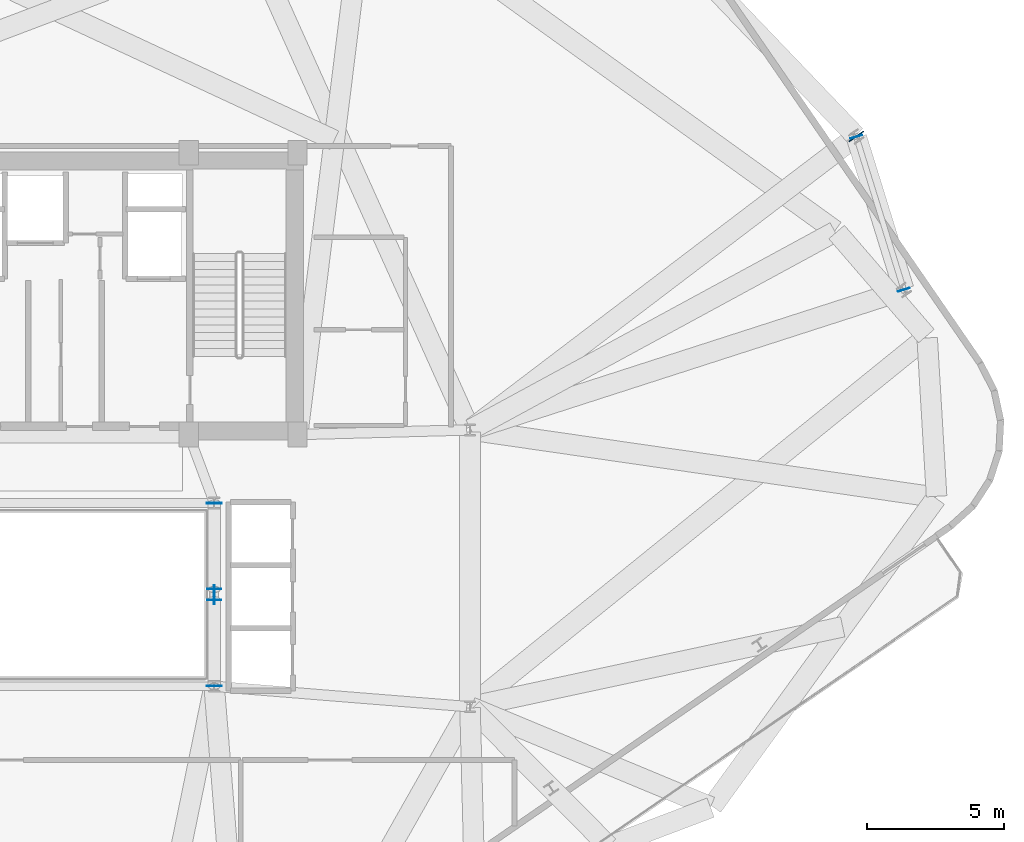
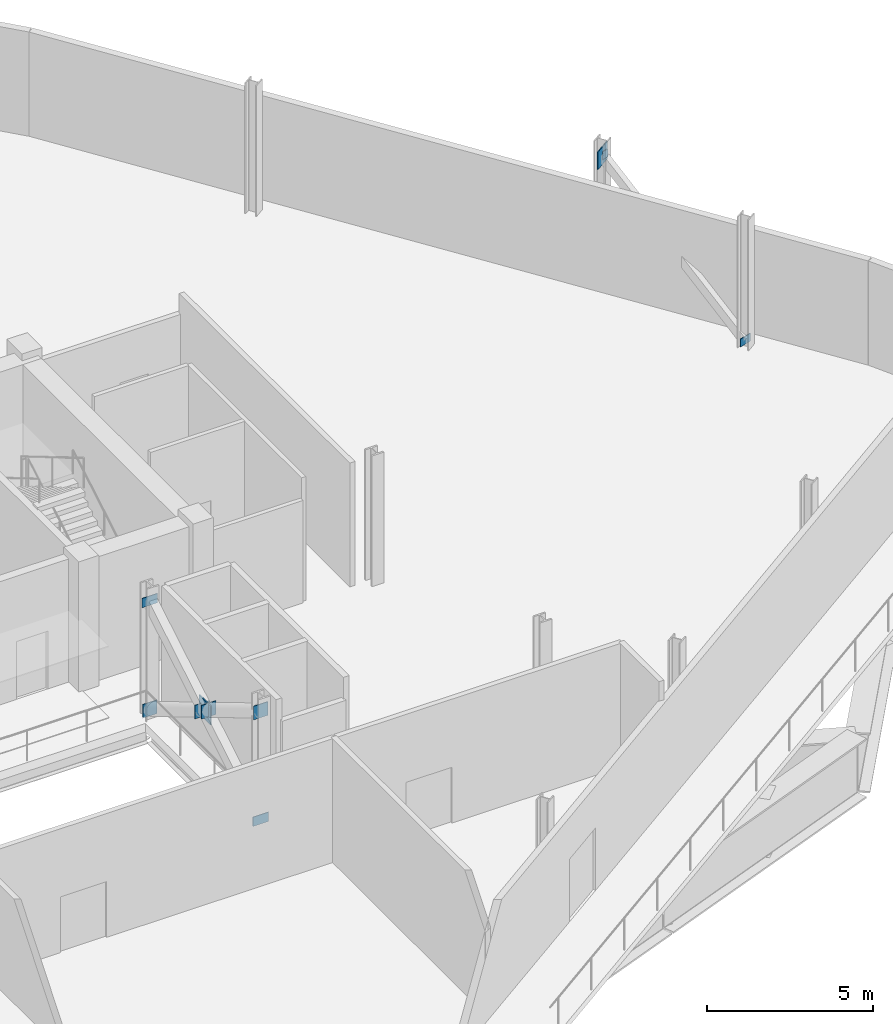
# One storey, part 6 of 13: 10 plates.
"""IFC4 building model written with IfcOpenShell, lengths in metres."""

from ifc_helpers import new_model, si_unit, direction, frame, origin, origin_2d, place, context, subcontext, project, spatial, rectangle, extrude, source, transform, mapped, material, layer, layer_set, type_object, element, save


model = new_model("IFC4")

# Units and contexts
model_context = context("Model", 3, precision=1e-05, world=origin(), true_north=direction((0.0, 1.0)))
body_context = subcontext(model_context, "Body", "Model", "MODEL_VIEW")
ifc_project = project(units=[si_unit("LENGTHUNIT", "METRE"), si_unit("AREAUNIT", "SQUARE_METRE"), si_unit("VOLUMEUNIT", "CUBIC_METRE"), si_unit("PLANEANGLEUNIT", "RADIAN"), si_unit("MASSUNIT", "GRAM", prefix="KILO")], contexts=[model_context])

# Site, building, storey
site_placement = place(None, origin())
site = spatial("IfcSite", under=ifc_project, at=site_placement, CompositionType="ELEMENT")
building_placement = place(site_placement, origin())
building = spatial("IfcBuilding", under=site, at=building_placement, Name="Varnelok Gate Tower", CompositionType="ELEMENT")
storey_placement = place(building_placement, frame((0.0, 0.0, 253.39990234375)))
storey = spatial("IfcBuildingStorey", under=building, at=storey_placement, Name="L65", CompositionType="ELEMENT", Elevation=253.39990234375)

# Plates
ifc_material = material(Name="Structural Steel ASTM A572 Grade 50", Category="steel")
ifc_layer_1 = layer(ifc_material, 0.02490234375)
ifc_layer_set_1 = layer_set([ifc_layer_1], Name="Structural Steel ASTM A572 Grade 50")
plate_type_1 = type_object("IfcPlateType", Name="PLT-ENDCAP-25", PredefinedType="SHEET", material=ifc_layer_set_1)
shared_shape_1 = source(origin(), body_context, "Body", "SweptSolid", [
    extrude(rectangle(XDim=0.02490234375, YDim=0.43994140625, at=origin_2d()), origin(), (0.0, 0.0, 1.0), 0.2900390625),
])
for number, where, z_axis, x_axis, name in (
    (1, (69.853515625, 34.04248046875, 0.062744140625), (0.0, 0.0, 1.0), (-0.296291541179, 0.955097546131, 0.0), "L65 hollow member sealed end plate 1"),
    (2, (68.118896484375, 39.63330078125, 4.04736328125), (0.0, 0.0, 1.0), (-0.296291541179, 0.955097546131, 0.0), "L65 hollow member sealed end plate 2"),
):
    element("IfcPlate", number, at=place(storey_placement, frame(where, z_axis=z_axis, x_axis=x_axis)), inside=storey, type_object=plate_type_1, Name=name, PredefinedType="SHEET", context=body_context, shape_type="MappedRepresentation", body=[
        mapped(shared_shape_1, transform((0.0, 0.0, 0.0), scale=1.0)),
    ])
ifc_layer_2 = layer(ifc_material, 0.031982421875)
ifc_layer_set_2 = layer_set([ifc_layer_2], Name="Structural Steel ASTM A572 Grade 50")
plate_type_2 = type_object("IfcPlateType", Name="PLT-GUSSET-32", PredefinedType="USERDEFINED", material=ifc_layer_set_2)
shared_shape_2 = source(origin(), body_context, "Body", "SweptSolid", [
    extrude(rectangle(XDim=0.64990234375, YDim=0.031982421875, at=origin_2d()), origin(), (0.0, 0.0, 1.0), 0.64990234375),
])
plate_1_placement = place(storey_placement, frame((68.115478515625, 39.644287109375, 3.875244140625), z_axis=(0.0, 0.0, 1.0), x_axis=(0.823532597628, 0.567268949127, 0.0)))
element("IfcPlate", 3, at=plate_1_placement, inside=storey, type_object=plate_type_2, Name="L65 Belt Truss Node Gusset Plate BN-1", ObjectType="GUSSET PLATE", PredefinedType="USERDEFINED", context=body_context, shape_type="MappedRepresentation", body=[
    mapped(shared_shape_2, transform((0.0, 0.0, 0.0), scale=1.0)),
])
shared_shape_3 = source(origin(), body_context, "Body", "SweptSolid", [
    extrude(rectangle(XDim=0.02490234375, YDim=0.5400390625, at=origin_2d()), origin(), (0.0, 0.0, 1.0), 0.340087890625),
])
for number, where, z_axis, x_axis, name in (
    (4, (44.64990234375, 19.561767578125, 0.037109375), (0.0, 0.0, 1.0), (0.0, 1.0, 0.0), "L65 hollow member sealed end plate 1"),
    (5, (44.64990234375, 26.23828125, 4.02294921875), (0.0, 0.0, 1.0), (0.0, 1.0, 0.0), "L65 hollow member sealed end plate 2"),
):
    element("IfcPlate", number, at=place(storey_placement, frame(where, z_axis=z_axis, x_axis=x_axis)), inside=storey, type_object=plate_type_1, Name=name, PredefinedType="SHEET", context=body_context, shape_type="MappedRepresentation", body=[
        mapped(shared_shape_3, transform((0.0, 0.0, 0.0), scale=1.0)),
    ])
shared_shape_4 = source(origin(), body_context, "Body", "SweptSolid", [
    extrude(rectangle(XDim=0.699951171875, YDim=0.031982421875, at=origin_2d()), origin(), (0.0, 0.0, 1.0), 0.699951171875),
])
plate_2_placement = place(storey_placement, frame((44.64990234375, 22.89990234375, 1.85009765625), z_axis=(0.0, 0.0, 1.0), x_axis=(0.0, -1.0, 0.0)))
element("IfcPlate", 6, at=plate_2_placement, inside=storey, type_object=plate_type_2, Name="L65 Outrigger X-Brace Gusset Plate XN-2", ObjectType="GUSSET PLATE", PredefinedType="USERDEFINED", context=body_context, shape_type="MappedRepresentation", body=[
    mapped(shared_shape_4, transform((0.0, 0.0, 0.0), scale=1.0)),
])
shared_shape_5 = source(origin(), body_context, "Body", "SweptSolid", [
    extrude(rectangle(XDim=0.02490234375, YDim=0.5, at=origin_2d()), origin(), (0.0, 0.0, 1.0), 0.5),
])
for number, where, z_axis, x_axis, name in (
    (7, (44.64990234375, 26.23828125, -0.04296875), (0.0, 0.0, 1.0), (0.0, -1.0, 0.0), "L65 hollow member sealed end plate 1"),
    (8, (44.64990234375, 23.1005859375, 1.830322265625), (0.0, 0.0, 1.0), (0.0, -1.0, 0.0), "L65 hollow member sealed end plate 2"),
    (9, (44.64990234375, 22.69921875, 2.06982421875), (0.0, 0.0, 1.0), (0.0, -1.0, 0.0), "L65 hollow member sealed end plate 1"),
    (10, (44.64990234375, 19.561767578125, 3.943115234375), (0.0, 0.0, 1.0), (0.0, -1.0, 0.0), "L65 hollow member sealed end plate 2"),
):
    element("IfcPlate", number, at=place(storey_placement, frame(where, z_axis=z_axis, x_axis=x_axis)), inside=storey, type_object=plate_type_1, Name=name, PredefinedType="SHEET", context=body_context, shape_type="MappedRepresentation", body=[
        mapped(shared_shape_5, transform((0.0, 0.0, 0.0), scale=1.0)),
    ])

save(model, "model.ifc")
